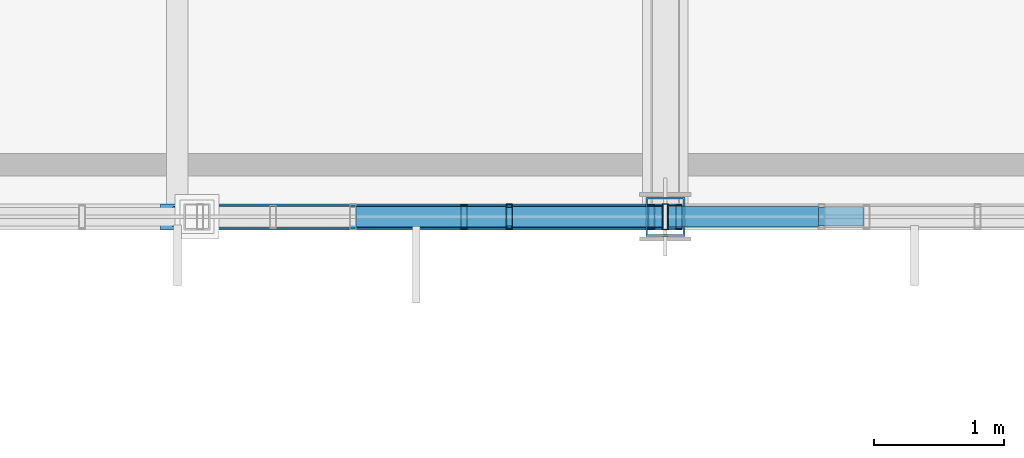
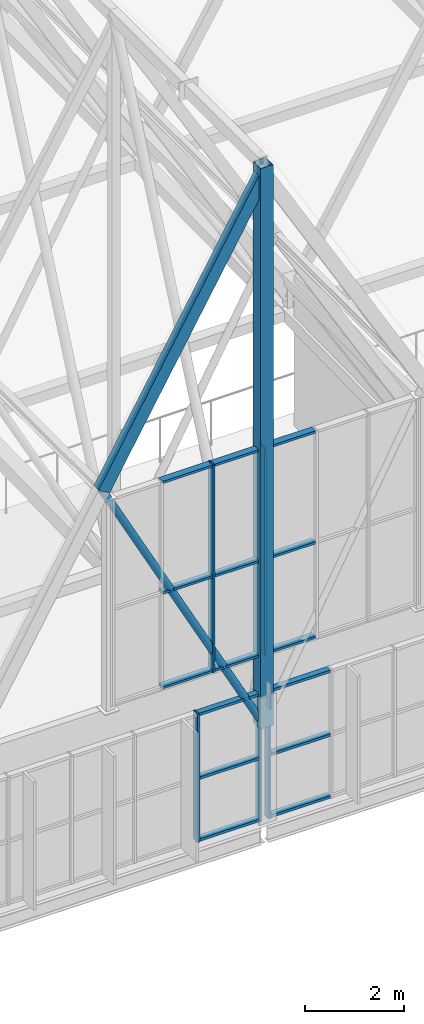
# One storey, part 135 of 324: 23 members, 3 elements without a shape of their own.
"""IFC4 building model written with IfcOpenShell, lengths in metres."""

import ifcopenshell
import ifcopenshell.guid

model = None  # the IFC model being written
_history = None  # IfcOwnerHistory: only IFC2X3 demands one
_inside = {}  # id of a spatial element -> (the spatial element, [elements in it])
_under = {}  # id of a project, library or spatial element -> (it, [spatial elements below it])
_declared = {}  # id of a project -> (the project, [libraries it declares])
_typed = {}  # id of a type object -> (the type object, [elements of that type])
_made_of = {}  # id of a material, layer set ... -> (it, [elements and type objects made of it])


def new_model(schema):
    """Start an empty IFC model of exactly this schema.

    Asked for "IFC4X3", IfcOpenShell would pick the latest addendum, in which some entities
    have other attributes; the version numbers below select the first issue.
    IFC2X3 requires an IfcOwnerHistory on every rooted entity: one is made here for all.
    """
    global model, _history
    if schema == "IFC4X3":
        model = ifcopenshell.file(schema_version=(4, 3, 0, 0))
    else:
        model = ifcopenshell.file(schema=schema)
    _inside.clear()
    _under.clear()
    _declared.clear()
    _typed.clear()
    _made_of.clear()
    _history = None
    if model.schema == "IFC2X3":
        org = make("IfcOrganization", Name="unknown")
        user = make(
            "IfcPersonAndOrganization",
            ThePerson=make("IfcPerson", FamilyName="unknown"),
            TheOrganization=org,
        )
        app = make(
            "IfcApplication",
            ApplicationDeveloper=org,
            Version="unknown",
            ApplicationFullName="unknown",
            ApplicationIdentifier="unknown",
        )
        _history = make(
            "IfcOwnerHistory",
            OwningUser=user,
            OwningApplication=app,
            ChangeAction="ADDED",
            CreationDate=0,
        )
    return model


def make(cls, **values):
    """One entity of the class cls with the attributes given. An attribute that is None is left unset."""
    return model.create_entity(
        cls, **{name: value for name, value in values.items() if value is not None}
    )


def rooted(cls, **values):
    """An entity with a GlobalId (a new one), such as an element, a storey or a relation."""
    return make(cls, GlobalId=ifcopenshell.guid.new(), OwnerHistory=_history, **values)


def si_unit(unit_type, name, prefix=None):
    """IfcSIUnit, for example si_unit("LENGTHUNIT", "METRE", prefix="MILLI")."""
    return make("IfcSIUnit", UnitType=unit_type, Prefix=prefix, Name=name)


def assignment(units):
    """IfcUnitAssignment: the units of a project."""
    return None if units is None else make("IfcUnitAssignment", Units=units)


def point(xyz):
    """IfcCartesianPoint."""
    return None if xyz is None else make("IfcCartesianPoint", Coordinates=xyz)


def direction(xyz):
    """IfcDirection."""
    return None if xyz is None else make("IfcDirection", DirectionRatios=xyz)


def frame(location, z_axis=None, x_axis=None):
    """IfcAxis2Placement3D, a coordinate frame: its origin and axes. An axis left out is left unset."""
    return make(
        "IfcAxis2Placement3D",
        Location=point(location),
        Axis=direction(z_axis),
        RefDirection=direction(x_axis),
    )


def frame_2d(location, x_axis=None):
    """IfcAxis2Placement2D, a coordinate frame in the plane: its origin and x axis."""
    return make(
        "IfcAxis2Placement2D", Location=point(location), RefDirection=direction(x_axis)
    )


def origin():
    """The frame at (0, 0, 0) with its axes left unset."""
    return frame((0.0, 0.0, 0.0))


def origin_2d():
    """The frame at (0, 0) in the plane with its x axis left unset."""
    return frame_2d((0.0, 0.0))


def place(relative_to, where):
    """IfcLocalPlacement: puts the frame where relative to a parent placement (None: the world)."""
    return make(
        "IfcLocalPlacement", PlacementRelTo=relative_to, RelativePlacement=where
    )


def context(
    kind, dimensions, precision=None, world=None, true_north=None, identifier=None
):
    """IfcGeometricRepresentationContext, for example the 3D "Model" context."""
    return make(
        "IfcGeometricRepresentationContext",
        ContextIdentifier=identifier,
        ContextType=kind,
        CoordinateSpaceDimension=dimensions,
        Precision=precision,
        WorldCoordinateSystem=world,
        TrueNorth=true_north,
    )


def subcontext(parent, identifier, kind, view, scale=None):
    """IfcGeometricRepresentationSubContext, for example "Body" below "Model"."""
    return make(
        "IfcGeometricRepresentationSubContext",
        ContextIdentifier=identifier,
        ContextType=kind,
        ParentContext=parent,
        TargetScale=scale,
        TargetView=view,
    )


def project(units=None, contexts=None):
    """IfcProject with its units and contexts."""
    return rooted(
        "IfcProject",
        Name="project",
        RepresentationContexts=contexts,
        UnitsInContext=assignment(units),
    )


def spatial(cls, under=None, at=None, **own):
    """A site, building, storey or space (cls), placed at a placement, below another one or the project."""
    s = rooted(cls, ObjectPlacement=at, **own)
    if under is not None:
        _under.setdefault(under.id(), (under, []))[1].append(s)
    return s


def profile(cls, at=None, kind="AREA", **sizes):
    """A parametric profile (cls). Its sizes go by their IFC names, for example OverallWidth=200.0."""
    return make(cls, ProfileType=kind, Position=at, **sizes)


def hollow_rectangle(**sizes):
    """IfcRectangleHollowProfileDef."""
    return profile("IfcRectangleHollowProfileDef", **sizes)


def hollow_circle(**sizes):
    """IfcCircleHollowProfileDef."""
    return profile("IfcCircleHollowProfileDef", **sizes)


def extrude(swept, where, along, depth):
    """IfcExtrudedAreaSolid: the profile swept, set in the frame where, extruded along a direction by depth."""
    return make(
        "IfcExtrudedAreaSolid",
        SweptArea=swept,
        Position=where,
        ExtrudedDirection=direction(along),
        Depth=depth,
    )


def shape(context_of_items, identifier, shape_type, items):
    """IfcShapeRepresentation: the items that make up one representation, for example the "Body"."""
    return make(
        "IfcShapeRepresentation",
        ContextOfItems=context_of_items,
        RepresentationIdentifier=identifier,
        RepresentationType=shape_type,
        Items=items,
    )


def material(Name=None, Category=None):
    """IfcMaterial."""
    return make("IfcMaterial", Name=Name, Category=Category)


def layer(
    of_material, thickness, ventilated=None, Name=None, Category=None, Priority=None
):
    """IfcMaterialLayer: one layer of a wall or slab, of a material (None: an air gap)."""
    return make(
        "IfcMaterialLayer",
        Material=of_material,
        LayerThickness=thickness,
        IsVentilated=ventilated,
        Name=Name,
        Category=Category,
        Priority=Priority,
    )


def layer_set(layers, Name=None):
    """IfcMaterialLayerSet."""
    return make("IfcMaterialLayerSet", MaterialLayers=layers, LayerSetName=Name)


def material_profile(
    of_material, cross_section, Name=None, Category=None, Priority=None
):
    """IfcMaterialProfile: a cross section and its material."""
    return make(
        "IfcMaterialProfile",
        Name=Name,
        Material=of_material,
        Profile=cross_section,
        Priority=Priority,
        Category=Category,
    )


def profile_set(profiles, Name=None, composite=None):
    """IfcMaterialProfileSet."""
    return make(
        "IfcMaterialProfileSet",
        Name=Name,
        MaterialProfiles=profiles,
        CompositeProfile=composite,
    )


def made_of(thing, what):
    """Note that an element or type object is made of a material, layer set ...; save() writes the relation."""
    if what is not None:
        _made_of.setdefault(what.id(), (what, []))[1].append(thing)
    return thing


def type_object(cls, material=None, **own):
    """A type object (cls), such as IfcWallType, which elements share."""
    return made_of(rooted(cls, **own), material)


def element(
    cls,
    number,
    at=None,
    inside=None,
    cuts=None,
    type_object=None,
    material=None,
    context=None,
    identifier="Body",
    shape_type=None,
    held_by="IfcProductDefinitionShape",
    body=None,
    shapes=None,
    **own,
):
    """One element of the class cls, such as IfcWall. Its Tag is "e" and its number.

    at: its placement. inside: the storey or other place that contains it. cuts: it is an
    opening in that element (IfcRelVoidsElement). A single representation is given by context,
    identifier, shape_type and body (its items); several are given by shapes. held_by: the class
    of the entity that holds the representations. save() writes the other relations.
    """
    e = rooted(cls, Tag="e%d" % number, ObjectPlacement=at, **own)
    if body is not None:
        shapes = [shape(context, identifier, shape_type, body)]
    if shapes is not None:
        e.Representation = make(held_by, Representations=shapes)
    if inside is not None:
        _inside.setdefault(inside.id(), (inside, []))[1].append(e)
    if cuts is not None:
        rooted(
            "IfcRelVoidsElement", RelatingBuildingElement=cuts, RelatedOpeningElement=e
        )
    if type_object is not None:
        _typed.setdefault(type_object.id(), (type_object, []))[1].append(e)
    return made_of(e, material)


def aggregate(whole, parts):
    """IfcRelAggregates: a whole, such as a stair, and the parts it consists of."""
    return rooted("IfcRelAggregates", RelatingObject=whole, RelatedObjects=parts)


def save(model, path):
    """Write the relations noted so far, then the file.

    IfcRelAggregates (storeys below a building ...), IfcRelContainedInSpatialStructure (elements
    in a storey), IfcRelDefinesByType, IfcRelAssociatesMaterial and IfcRelDeclares: one each for
    every whole, place, type object, material and project.
    """
    for whole, parts in _under.values():
        aggregate(whole, parts)
    for where, things in _inside.values():
        rooted(
            "IfcRelContainedInSpatialStructure",
            RelatedElements=things,
            RelatingStructure=where,
        )
    for kind, things in _typed.values():
        rooted("IfcRelDefinesByType", RelatedObjects=things, RelatingType=kind)
    for what, things in _made_of.values():
        rooted("IfcRelAssociatesMaterial", RelatedObjects=things, RelatingMaterial=what)
    for by, libraries in _declared.values():
        rooted("IfcRelDeclares", RelatingContext=by, RelatedDefinitions=libraries)
    model.write(path)


model = new_model("IFC4")

# Units and contexts
model_context = context("Model", 3, precision=1e-05, world=origin(), true_north=direction((0.0, 1.0)))
body_context = subcontext(model_context, "Body", "Model", "MODEL_VIEW")
ifc_project = project(units=[si_unit("LENGTHUNIT", "METRE"), si_unit("AREAUNIT", "SQUARE_METRE"), si_unit("VOLUMEUNIT", "CUBIC_METRE"), si_unit("PLANEANGLEUNIT", "RADIAN"), si_unit("MASSUNIT", "GRAM", prefix="KILO")], contexts=[model_context])

# Site, building, storey
site_placement = place(None, origin())
site = spatial("IfcSite", under=ifc_project, at=site_placement, CompositionType="ELEMENT")
building_placement = place(site_placement, origin())
building = spatial("IfcBuilding", under=site, at=building_placement, Name="Solvenia Promenade Tram Depot", CompositionType="ELEMENT")
storey_placement = place(building_placement, frame((0.0, 0.0, 4.5)))
storey = spatial("IfcBuildingStorey", under=building, at=storey_placement, Name="L01", CompositionType="ELEMENT", Elevation=4.5)

# Curtain wall, members
ifc_material_1 = material(Name="Anodized aluminium AW-6063 T6", Category="aluminium")
ifc_layer_1 = layer(ifc_material_1, 0.159912109375, Name="Anodized aluminium AW-6063 T6", Category="aluminium")
ifc_layer_set_1 = layer_set([ifc_layer_1], Name="Anodized aluminium AW-6063 T6")
curtain_wall_type_1 = type_object("IfcCurtainWallType", Name="CW-Channel-1500", PredefinedType="NOTDEFINED", material=ifc_layer_set_1)
curtain_wall_1_placement = place(storey_placement, origin())
curtain_wall_1 = element("IfcCurtainWall", 1, at=curtain_wall_1_placement, inside=storey, type_object=curtain_wall_type_1, Name="Curtain Wall CW-V1S1-07", PredefinedType="NOTDEFINED")
ifc_material_profile_1 = material_profile(ifc_material_1, hollow_rectangle(XDim=0.179931640625, YDim=0.050048828125, WallThickness=0.00390625, at=origin_2d()), Name="ALU-M2", Category="aluminium")
ifc_profile_set_1 = profile_set([ifc_material_profile_1], Name="Anodized aluminium AW-6063 T6")
member_type_1 = type_object("IfcMemberType", Name="CWM-Mullion-2", PredefinedType="MULLION", material=ifc_profile_set_1)
member_1_placement = place(storey_placement, frame((95.951904296875, 66.0, 0.0), z_axis=(0.0, 0.0, 1.0), x_axis=(0.0, 1.0, 0.0)))
member_1 = element("IfcMember", 2, at=member_1_placement, type_object=member_type_1, Name="CW-2 mullion 5", PredefinedType="MULLION", context=body_context, shape_type="SweptSolid", body=[
    extrude(hollow_rectangle(XDim=0.179931640625, YDim=0.050048828125, WallThickness=0.00390625, at=origin_2d()), origin(), (0.0, 0.0, 1.0), 3.14990234375),
])
member_2_placement = place(storey_placement, frame((97.39501953125, 66.0, 0.0), z_axis=(0.0, 0.0, 1.0), x_axis=(0.0, 1.0, 0.0)))
member_2 = element("IfcMember", 3, at=member_2_placement, type_object=member_type_1, Name="CW-2 mullion 6", PredefinedType="MULLION", context=body_context, shape_type="SweptSolid", body=[
    extrude(hollow_rectangle(XDim=0.179931640625, YDim=0.050048828125, WallThickness=0.00390625, at=origin_2d()), origin(), (0.0, 0.0, 1.0), 3.14990234375),
])

# Curtain wall, member
curtain_wall_2_placement = place(storey_placement, origin())
curtain_wall_2 = element("IfcCurtainWall", 4, at=curtain_wall_2_placement, inside=storey, type_object=curtain_wall_type_1, Name="Curtain Wall CW-V1S1-08", PredefinedType="NOTDEFINED")
member_3_placement = place(storey_placement, frame((97.60498046875, 66.0, 0.0), z_axis=(0.0, 0.0, 1.0), x_axis=(0.0, 1.0, 0.0)))
member_3 = element("IfcMember", 5, at=member_3_placement, type_object=member_type_1, Name="CW-2 mullion 1", PredefinedType="MULLION", context=body_context, shape_type="SweptSolid", body=[
    extrude(hollow_rectangle(XDim=0.179931640625, YDim=0.050048828125, WallThickness=0.00390625, at=origin_2d()), origin(), (0.0, 0.0, 1.0), 3.14990234375),
])

# Curtain wall, members
ifc_layer_2 = layer(ifc_material_1, 0.14990234375, Name="Anodized aluminium AW-6063 T6", Category="aluminium")
ifc_layer_set_2 = layer_set([ifc_layer_2], Name="Anodized aluminium AW-6063 T6")
curtain_wall_type_2 = type_object("IfcCurtainWallType", Name="CW-Gable-1200", PredefinedType="NOTDEFINED", material=ifc_layer_set_2)
curtain_wall_3_placement = place(storey_placement, origin())
curtain_wall_3 = element("IfcCurtainWall", 6, at=curtain_wall_3_placement, inside=storey, type_object=curtain_wall_type_2, Name="South Zigzag Gable 07 Peak Glazing", PredefinedType="NOTDEFINED")
ifc_material_profile_2 = material_profile(ifc_material_1, hollow_rectangle(XDim=0.199951171875, YDim=0.048095703125, WallThickness=0.00390625, at=origin_2d()), Name="ALU-M3", Category="aluminium")
ifc_profile_set_2 = profile_set([ifc_material_profile_2], Name="Anodized aluminium AW-6063 T6")
member_type_2 = type_object("IfcMemberType", Name="CWM-Mullion-3", PredefinedType="MULLION", material=ifc_profile_set_2)
member_4_placement = place(storey_placement, frame((96.300048828125, 66.0, 4.050048828125), z_axis=(0.0, 0.0, 1.0), x_axis=(0.0, 1.0, 0.0)))
member_4 = element("IfcMember", 7, at=member_4_placement, type_object=member_type_2, Name="CW-3 mullion 3", PredefinedType="MULLION", context=body_context, shape_type="SweptSolid", body=[
    extrude(hollow_rectangle(XDim=0.199951171875, YDim=0.048095703125, WallThickness=0.00390625, at=origin_2d()), origin(), (0.0, 0.0, 1.0), 5.099853515625),
])
member_5_placement = place(storey_placement, frame((97.5, 66.0, 4.050048828125), z_axis=(0.0, 0.0, 1.0), x_axis=(0.0, 1.0, 0.0)))
member_5 = element("IfcMember", 8, at=member_5_placement, type_object=member_type_2, Name="CW-3 mullion 4", PredefinedType="MULLION", context=body_context, shape_type="SweptSolid", body=[
    extrude(hollow_rectangle(XDim=0.199951171875, YDim=0.048095703125, WallThickness=0.00390625, at=origin_2d()), origin(), (0.0, 0.0, 1.0), 5.099853515625),
])

# Member
ifc_material_profile_3 = material_profile(ifc_material_1, hollow_rectangle(XDim=0.139892578125, YDim=0.06494140625, WallThickness=0.00390625, at=origin_2d()), Name="ALU-T2", Category="aluminium")
ifc_profile_set_3 = profile_set([ifc_material_profile_3], Name="Anodized aluminium AW-6063 T6")
member_type_3 = type_object("IfcMemberType", Name="CWT-Transom-2", PredefinedType="USERDEFINED", material=ifc_profile_set_3)
member_6_placement = place(storey_placement, frame((95.97705078125, 66.0, 0.032470703125), z_axis=(1.0, 0.0, 0.0), x_axis=(0.0, 1.0, 0.0)))
member_6 = element("IfcMember", 9, at=member_6_placement, type_object=member_type_3, Name="CW-2 transom 5.1", ObjectType="TRANSOM", PredefinedType="USERDEFINED", context=body_context, shape_type="SweptSolid", body=[
    extrude(hollow_rectangle(XDim=0.139892578125, YDim=0.06494140625, WallThickness=0.00390625, at=origin_2d()), origin(), (0.0, 0.0, 1.0), 1.39306640625),
])

member_7_placement = place(storey_placement, frame((95.97705078125, 66.0, 1.550048828125), z_axis=(1.0, 0.0, 0.0), x_axis=(0.0, 1.0, 0.0)))
member_7 = element("IfcMember", 10, at=member_7_placement, type_object=member_type_3, Name="CW-2 transom 5.2", ObjectType="TRANSOM", PredefinedType="USERDEFINED", context=body_context, shape_type="SweptSolid", body=[
    extrude(hollow_rectangle(XDim=0.139892578125, YDim=0.06494140625, WallThickness=0.00390625, at=origin_2d()), origin(), (0.0, 0.0, 1.0), 1.39306640625),
])

member_8_placement = place(storey_placement, frame((95.97705078125, 66.0, 3.117431640625), z_axis=(1.0, 0.0, 0.0), x_axis=(0.0, 1.0, 0.0)))
member_8 = element("IfcMember", 11, at=member_8_placement, type_object=member_type_3, Name="CW-2 transom 5.3", ObjectType="TRANSOM", PredefinedType="USERDEFINED", context=body_context, shape_type="SweptSolid", body=[
    extrude(hollow_rectangle(XDim=0.139892578125, YDim=0.06494140625, WallThickness=0.00390625, at=origin_2d()), origin(), (0.0, 0.0, 1.0), 1.39306640625),
])

aggregate(curtain_wall_1, [member_1, member_2, member_6, member_7, member_8])

member_9_placement = place(storey_placement, frame((97.6298828125, 66.0, 0.032470703125), z_axis=(1.0, 0.0, 0.0), x_axis=(0.0, 1.0, 0.0)))
member_9 = element("IfcMember", 12, at=member_9_placement, type_object=member_type_3, Name="CW-2 transom 1.1", ObjectType="TRANSOM", PredefinedType="USERDEFINED", context=body_context, shape_type="SweptSolid", body=[
    extrude(hollow_rectangle(XDim=0.139892578125, YDim=0.06494140625, WallThickness=0.00390625, at=origin_2d()), origin(), (0.0, 0.0, 1.0), 1.39306640625),
])

member_10_placement = place(storey_placement, frame((97.6298828125, 66.0, 1.550048828125), z_axis=(1.0, 0.0, 0.0), x_axis=(0.0, 1.0, 0.0)))
member_10 = element("IfcMember", 13, at=member_10_placement, type_object=member_type_3, Name="CW-2 transom 1.2", ObjectType="TRANSOM", PredefinedType="USERDEFINED", context=body_context, shape_type="SweptSolid", body=[
    extrude(hollow_rectangle(XDim=0.139892578125, YDim=0.06494140625, WallThickness=0.00390625, at=origin_2d()), origin(), (0.0, 0.0, 1.0), 1.39306640625),
])

member_11_placement = place(storey_placement, frame((97.6298828125, 66.0, 3.117431640625), z_axis=(1.0, 0.0, 0.0), x_axis=(0.0, 1.0, 0.0)))
member_11 = element("IfcMember", 14, at=member_11_placement, type_object=member_type_3, Name="CW-2 transom 1.3", ObjectType="TRANSOM", PredefinedType="USERDEFINED", context=body_context, shape_type="SweptSolid", body=[
    extrude(hollow_rectangle(XDim=0.139892578125, YDim=0.06494140625, WallThickness=0.00390625, at=origin_2d()), origin(), (0.0, 0.0, 1.0), 1.39306640625),
])

aggregate(curtain_wall_2, [member_3, member_9, member_10, member_11])

ifc_material_profile_4 = material_profile(ifc_material_1, hollow_rectangle(XDim=0.159912109375, YDim=0.05810546875, WallThickness=0.00390625, at=origin_2d()), Name="ALU-T3", Category="aluminium")
ifc_profile_set_4 = profile_set([ifc_material_profile_4], Name="Anodized aluminium AW-6063 T6")
member_type_4 = type_object("IfcMemberType", Name="CWT-Transom-3", PredefinedType="USERDEFINED", material=ifc_profile_set_4)
member_12_placement = place(storey_placement, frame((95.1240234375, 66.0, 4.0791015625), z_axis=(1.0, 0.0, 0.0), x_axis=(0.0, 1.0, 0.0)))
member_12 = element("IfcMember", 15, at=member_12_placement, type_object=member_type_4, Name="CW-3 transom 2.1", ObjectType="TRANSOM", PredefinedType="USERDEFINED", context=body_context, shape_type="SweptSolid", body=[
    extrude(hollow_rectangle(XDim=0.159912109375, YDim=0.05810546875, WallThickness=0.00390625, at=origin_2d()), origin(), (0.0, 0.0, 1.0), 1.15185546875),
])

member_13_placement = place(storey_placement, frame((95.1240234375, 66.0, 6.39990234375), z_axis=(1.0, 0.0, 0.0), x_axis=(0.0, 1.0, 0.0)))
member_13 = element("IfcMember", 16, at=member_13_placement, type_object=member_type_4, Name="CW-3 transom 2.2", ObjectType="TRANSOM", PredefinedType="USERDEFINED", context=body_context, shape_type="SweptSolid", body=[
    extrude(hollow_rectangle(XDim=0.159912109375, YDim=0.05810546875, WallThickness=0.00390625, at=origin_2d()), origin(), (0.0, 0.0, 1.0), 1.15185546875),
])

member_14_placement = place(storey_placement, frame((95.1240234375, 66.0, 9.12109375), z_axis=(1.0, 0.0, 0.0), x_axis=(0.0, 1.0, 0.0)))
member_14 = element("IfcMember", 17, at=member_14_placement, type_object=member_type_4, Name="CW-3 transom 2.3", ObjectType="TRANSOM", PredefinedType="USERDEFINED", context=body_context, shape_type="SweptSolid", body=[
    extrude(hollow_rectangle(XDim=0.159912109375, YDim=0.05810546875, WallThickness=0.00390625, at=origin_2d()), origin(), (0.0, 0.0, 1.0), 1.15185546875),
])

member_15_placement = place(storey_placement, frame((96.323974609375, 66.0, 4.0791015625), z_axis=(1.0, 0.0, 0.0), x_axis=(0.0, 1.0, 0.0)))
member_15 = element("IfcMember", 18, at=member_15_placement, type_object=member_type_4, Name="CW-3 transom 3.1", ObjectType="TRANSOM", PredefinedType="USERDEFINED", context=body_context, shape_type="SweptSolid", body=[
    extrude(hollow_rectangle(XDim=0.159912109375, YDim=0.05810546875, WallThickness=0.00390625, at=origin_2d()), origin(), (0.0, 0.0, 1.0), 1.152099609375),
])

member_16_placement = place(storey_placement, frame((96.323974609375, 66.0, 6.39990234375), z_axis=(1.0, 0.0, 0.0), x_axis=(0.0, 1.0, 0.0)))
member_16 = element("IfcMember", 19, at=member_16_placement, type_object=member_type_4, Name="CW-3 transom 3.2", ObjectType="TRANSOM", PredefinedType="USERDEFINED", context=body_context, shape_type="SweptSolid", body=[
    extrude(hollow_rectangle(XDim=0.159912109375, YDim=0.05810546875, WallThickness=0.00390625, at=origin_2d()), origin(), (0.0, 0.0, 1.0), 1.152099609375),
])

member_17_placement = place(storey_placement, frame((96.323974609375, 66.0, 9.12109375), z_axis=(1.0, 0.0, 0.0), x_axis=(0.0, 1.0, 0.0)))
member_17 = element("IfcMember", 20, at=member_17_placement, type_object=member_type_4, Name="CW-3 transom 3.3", ObjectType="TRANSOM", PredefinedType="USERDEFINED", context=body_context, shape_type="SweptSolid", body=[
    extrude(hollow_rectangle(XDim=0.159912109375, YDim=0.05810546875, WallThickness=0.00390625, at=origin_2d()), origin(), (0.0, 0.0, 1.0), 1.152099609375),
])

member_18_placement = place(storey_placement, frame((97.52392578125, 66.0, 4.0791015625), z_axis=(1.0, 0.0, 0.0), x_axis=(0.0, 1.0, 0.0)))
member_18 = element("IfcMember", 21, at=member_18_placement, type_object=member_type_4, Name="CW-3 transom 4.1", ObjectType="TRANSOM", PredefinedType="USERDEFINED", context=body_context, shape_type="SweptSolid", body=[
    extrude(hollow_rectangle(XDim=0.159912109375, YDim=0.05810546875, WallThickness=0.00390625, at=origin_2d()), origin(), (0.0, 0.0, 1.0), 1.152099609375),
])

member_19_placement = place(storey_placement, frame((97.52392578125, 66.0, 6.39990234375), z_axis=(1.0, 0.0, 0.0), x_axis=(0.0, 1.0, 0.0)))
member_19 = element("IfcMember", 22, at=member_19_placement, type_object=member_type_4, Name="CW-3 transom 4.2", ObjectType="TRANSOM", PredefinedType="USERDEFINED", context=body_context, shape_type="SweptSolid", body=[
    extrude(hollow_rectangle(XDim=0.159912109375, YDim=0.05810546875, WallThickness=0.00390625, at=origin_2d()), origin(), (0.0, 0.0, 1.0), 1.152099609375),
])

member_20_placement = place(storey_placement, frame((97.52392578125, 66.0, 9.12109375), z_axis=(1.0, 0.0, 0.0), x_axis=(0.0, 1.0, 0.0)))
member_20 = element("IfcMember", 23, at=member_20_placement, type_object=member_type_4, Name="CW-3 transom 4.3", ObjectType="TRANSOM", PredefinedType="USERDEFINED", context=body_context, shape_type="SweptSolid", body=[
    extrude(hollow_rectangle(XDim=0.159912109375, YDim=0.05810546875, WallThickness=0.00390625, at=origin_2d()), origin(), (0.0, 0.0, 1.0), 1.152099609375),
])

aggregate(curtain_wall_3, [member_4, member_5, member_12, member_13, member_14, member_15, member_16, member_17, member_18, member_19, member_20])

# Members
ifc_material_2 = material(Name="Structural steel ASTM A500 Gr. C", Category="steel")
ifc_material_profile_5 = material_profile(ifc_material_2, hollow_rectangle(XDim=0.199951171875, YDim=0.300048828125, WallThickness=0.012451171875, at=origin_2d()), Name="HSS300x200x12.5", Category="steel")
ifc_profile_set_5 = profile_set([ifc_material_profile_5], Name="Structural steel ASTM A500 Gr. C")
member_type_5 = type_object("IfcMemberType", Name="Chord-HSS300x200x12", PredefinedType="CHORD", material=ifc_profile_set_5)
member_21_placement = place(storey_placement, frame((93.75, 66.0, 9.39013671875), z_axis=(0.501516268578, 0.0, 0.865148214095), x_axis=(0.0, 1.0, 0.0)))
element("IfcMember", 24, at=member_21_placement, inside=storey, type_object=member_type_5, Name="Zigzag Gable 07 West Upper Rafter", PredefinedType="CHORD", context=body_context, shape_type="SweptSolid", body=[
    extrude(hollow_rectangle(XDim=0.199951171875, YDim=0.300048828125, WallThickness=0.012451171875, at=origin_2d()), origin(), (0.0, 0.0, 1.0), 7.477294921875),
])
ifc_material_profile_6 = material_profile(ifc_material_2, hollow_rectangle(XDim=0.300048828125, YDim=0.300048828125, WallThickness=0.012451171875, at=origin_2d()), Name="HSS300x300x12.5", Category="steel")
ifc_profile_set_6 = profile_set([ifc_material_profile_6], Name="Structural steel ASTM A500 Gr. C")
member_type_6 = type_object("IfcMemberType", Name="Chord-HSS300x300x12", PredefinedType="CHORD", material=ifc_profile_set_6)
member_22_placement = place(storey_placement, frame((97.5, 66.0, 2.320068359375), z_axis=(0.0, 0.0, 1.0), x_axis=(1.0, 0.0, 0.0)))
element("IfcMember", 25, at=member_22_placement, inside=storey, type_object=member_type_6, Name="Arched Truss T14 S End Post", PredefinedType="CHORD", context=body_context, shape_type="SweptSolid", body=[
    extrude(hollow_rectangle(XDim=0.300048828125, YDim=0.300048828125, WallThickness=0.012451171875, at=origin_2d()), origin(), (0.0, 0.0, 1.0), 13.767822265625),
])
ifc_material_profile_7 = material_profile(ifc_material_2, hollow_circle(Radius=0.084228515625, WallThickness=0.008056640625, at=origin_2d()), Name="CHS168.3x8", Category="steel")
ifc_profile_set_7 = profile_set([ifc_material_profile_7], Name="Structural steel ASTM A500 Gr. C")
member_type_7 = type_object("IfcMemberType", Name="WebDiag-CHS168x8", PredefinedType="BRACE", material=ifc_profile_set_7)
member_23_placement = place(storey_placement, frame((97.5, 66.0, 2.320068359375), z_axis=(-0.468572976528, 0.0, 0.883424793442), x_axis=(0.0, -1.0, 0.0)))
element("IfcMember", 26, at=member_23_placement, inside=storey, type_object=member_type_7, Name="Zigzag Gable 07 West Knee Strut", PredefinedType="BRACE", context=body_context, shape_type="SweptSolid", body=[
    extrude(hollow_circle(Radius=0.084228515625, WallThickness=0.008056640625, at=origin_2d()), origin(), (0.0, 0.0, 1.0), 8.0029296875),
])

save(model, "model.ifc")
